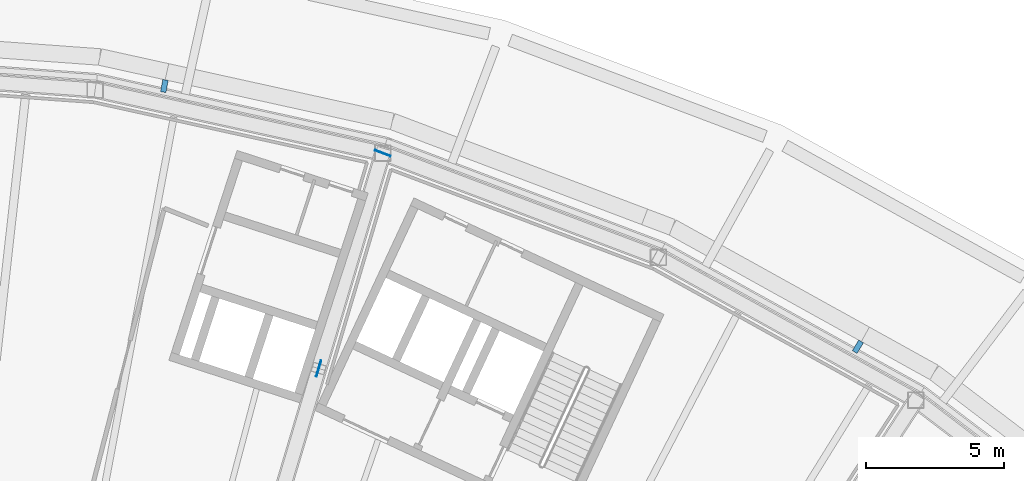
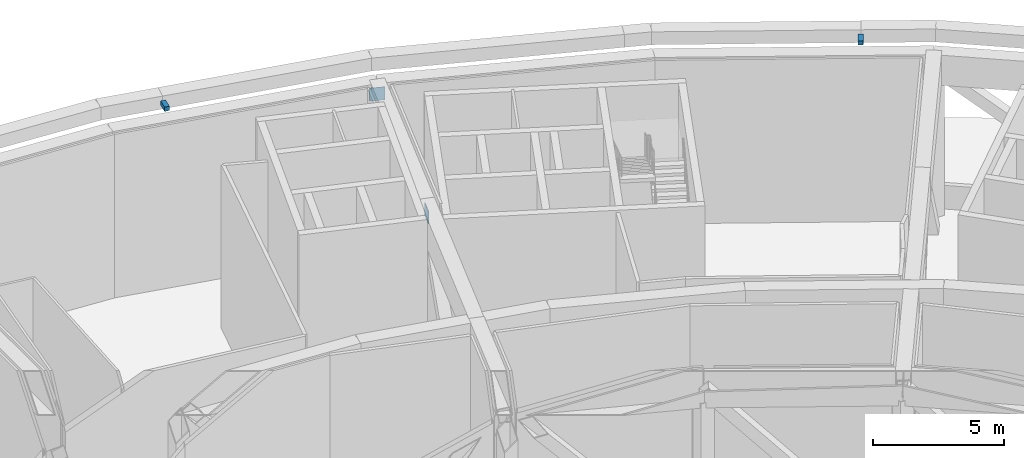
# One storey, part 19 of 24: 4 discrete accessories.
"""IFC4 building model written with IfcOpenShell, lengths in metres."""

from ifc_helpers import new_model, si_unit, direction, frame, origin, origin_2d, place, context, subcontext, project, spatial, rectangle, extrude, material, type_object, element, save


model = new_model("IFC4")

# Units and contexts
model_context = context("Model", 3, precision=1e-05, world=origin(), true_north=direction((0.0, 1.0)))
body_context = subcontext(model_context, "Body", "Model", "MODEL_VIEW")
ifc_project = project(units=[si_unit("LENGTHUNIT", "METRE"), si_unit("AREAUNIT", "SQUARE_METRE"), si_unit("VOLUMEUNIT", "CUBIC_METRE"), si_unit("PLANEANGLEUNIT", "RADIAN"), si_unit("MASSUNIT", "GRAM", prefix="KILO")], contexts=[model_context])

# Site, building, storey
site_placement = place(None, origin())
site = spatial("IfcSite", under=ifc_project, at=site_placement, CompositionType="ELEMENT")
building_placement = place(site_placement, origin())
building = spatial("IfcBuilding", under=site, at=building_placement, Name="Tuul Gate Civic Tower", CompositionType="ELEMENT")
storey_placement = place(building_placement, frame((0.0, 0.0, 277.800048828125)))
storey = spatial("IfcBuildingStorey", under=building, at=storey_placement, Name="Wind floor 2", CompositionType="ELEMENT", Elevation=277.800048828125)

# Discrete accessories
ifc_material_1 = material(Name="Steel S355", Category="steel")
discrete_accessory_type_1 = type_object("IfcDiscreteAccessoryType", Name="Gusset plate", PredefinedType="BRACKET", material=ifc_material_1)
for number, where, z_axis, x_axis, name in (
    (1, (25.54248046875, -1.642822265625, 6.603515625), (0.0, 0.0, 1.0), (0.285212112775, 0.958464423297, 0.0), "Gusset plate"),
    (2, (27.864990234375, 6.162353515625, 6.602783203125), (0.0, 0.0, 1.0), (0.935344087826, -0.353739222266, 0.0), "Gusset plate"),
):
    element("IfcDiscreteAccessory", number, at=place(storey_placement, frame(where, z_axis=z_axis, x_axis=x_axis)), inside=storey, type_object=discrete_accessory_type_1, Name=name, PredefinedType="BRACKET", context=body_context, shape_type="SweptSolid", body=[
        extrude(rectangle(XDim=0.60009765625, YDim=0.030029296875, at=origin_2d()), origin(), (0.0, 0.0, 1.0), 0.60009765625),
    ])
ifc_material_2 = material(Name="Stainless steel", Category="steel")
discrete_accessory_type_2 = type_object("IfcDiscreteAccessoryType", Name="Screen bracket", PredefinedType="BRACKET", material=ifc_material_2)
for number, where, z_axis, x_axis, name in (
    (3, (45.087158203125, -0.85302734375, 7.5498046875), (0.0, 0.0, 1.0), (0.514617625981, 0.857419791601, 0.0), "Screen bracket 4"),
    (4, (19.947998046875, 8.598388671875, 7.5498046875), (0.0, 0.0, 1.0), (0.176790997976, 0.984248415307, 0.0), "Screen bracket 7"),
):
    element("IfcDiscreteAccessory", number, at=place(storey_placement, frame(where, z_axis=z_axis, x_axis=x_axis)), inside=storey, type_object=discrete_accessory_type_2, Name=name, PredefinedType="BRACKET", context=body_context, shape_type="SweptSolid", body=[
        extrude(rectangle(XDim=0.4501953125, YDim=0.199951171875, at=origin_2d()), origin(), (0.0, 0.0, 1.0), 0.199951171875),
    ])

save(model, "model.ifc")
